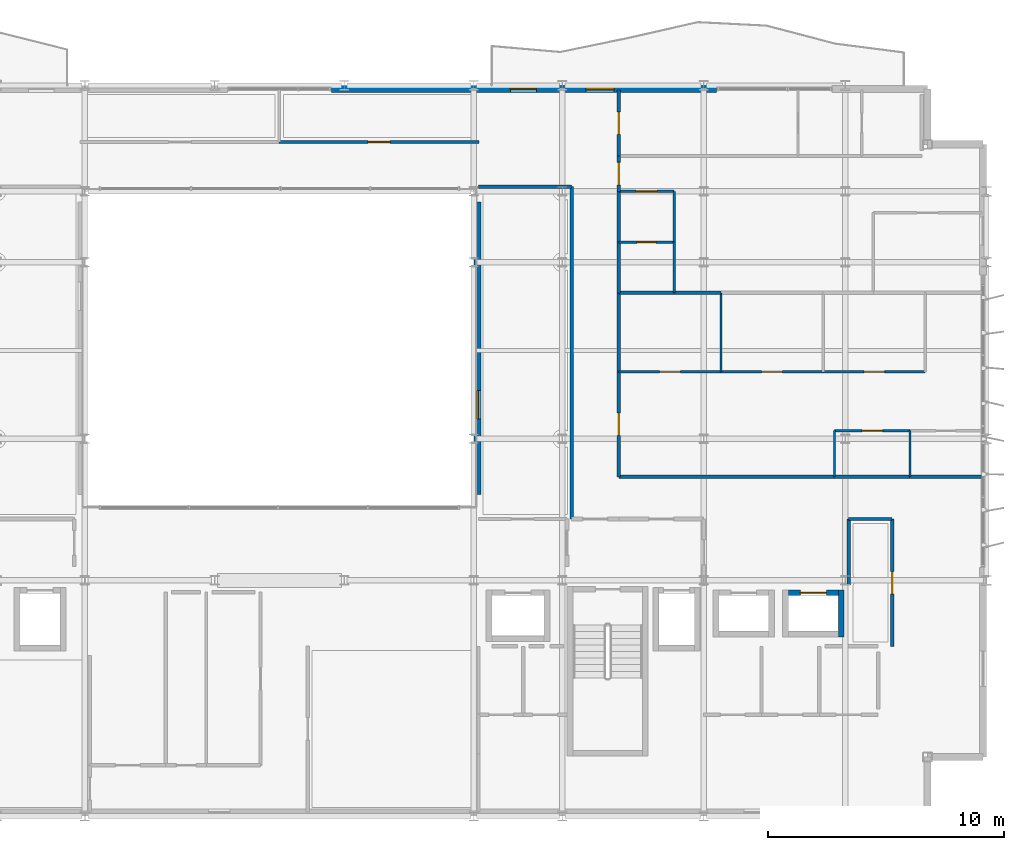
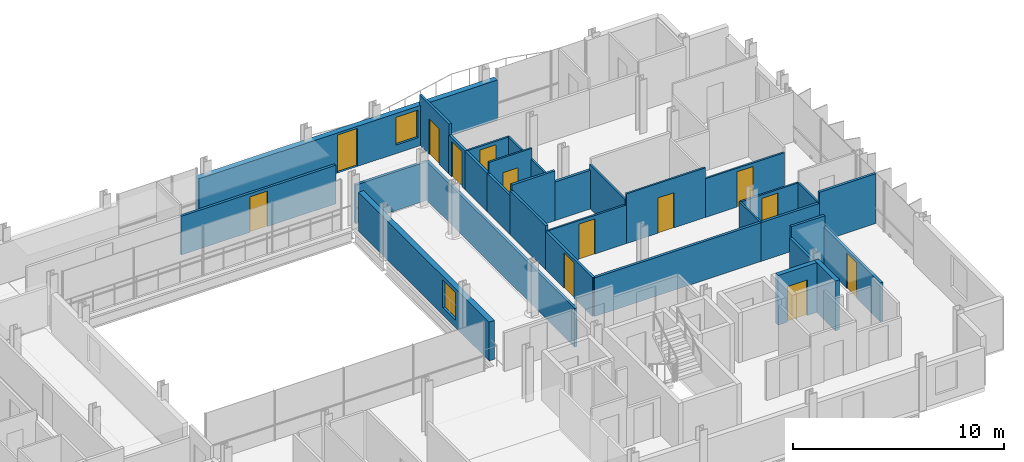
# One storey, part 33 of 40: 32 walls, 13 doors, 2 windows, 15 openings.
"""IFC4 building model written with IfcOpenShell, lengths in metres."""

from ifc_helpers import new_model, si_unit, direction, frame, frame_2d, origin, place, context, subcontext, project, spatial, rectangle, extrude, material, layer, layer_set, type_object, element, fill, save


model = new_model("IFC4")

# Units and contexts
model_context = context("Model", 3, precision=1e-05, world=origin(), true_north=direction((0.0, 1.0)))
body_context = subcontext(model_context, "Body", "Model", "MODEL_VIEW")
ifc_project = project(units=[si_unit("LENGTHUNIT", "METRE"), si_unit("AREAUNIT", "SQUARE_METRE"), si_unit("VOLUMEUNIT", "CUBIC_METRE"), si_unit("PLANEANGLEUNIT", "RADIAN"), si_unit("MASSUNIT", "GRAM", prefix="KILO")], contexts=[model_context])

# Site, building, storey
site_placement = place(None, origin())
site = spatial("IfcSite", under=ifc_project, at=site_placement, CompositionType="ELEMENT")
building_placement = place(site_placement, origin())
building = spatial("IfcBuilding", under=site, at=building_placement, Name="Brevholm Reach", CompositionType="ELEMENT")
storey_placement = place(building_placement, frame((0.0, 0.0, 160.39990234375)))
storey = spatial("IfcBuildingStorey", under=building, at=storey_placement, Name="L48", CompositionType="ELEMENT", Elevation=160.39990234375)

# Wall
ifc_material_1 = material(Name="Concrete C45/55", Category="concrete")
ifc_layer_1 = layer(ifc_material_1, 0.239990234375)
ifc_layer_set_1 = layer_set([ifc_layer_1], Name="Concrete C45/55")
wall_type_1 = type_object("IfcWallType", Name="WAL-COR-240", PredefinedType="SHEAR", material=ifc_layer_set_1)
wall_1_placement = place(storey_placement, frame((53.830078125, 7.60009765625, 0.0), z_axis=(0.0, 0.0, 1.0), x_axis=(0.0, 1.0, 0.0)))
element("IfcWall", 1, at=wall_1_placement, inside=storey, type_object=wall_type_1, Name="L48 Lift PL-H2 Shaft Wall E", PredefinedType="SHEAR", context=body_context, shape_type="SweptSolid", body=[
    extrude(rectangle(XDim=2.0, YDim=0.239990234375, at=frame_2d((1.0, 0.0))), origin(), (0.0, 0.0, 1.0), 2.880126953125),
])

# Wall, opening, door
wall_2_placement = place(storey_placement, frame((51.590087890625, 9.47998046875, 0.0), z_axis=(0.0, 0.0, 1.0), x_axis=(1.0, 0.0, 0.0)))
wall_2 = element("IfcWall", 2, at=wall_2_placement, inside=storey, type_object=wall_type_1, Name="L48 Lift PL-H2 Shaft Wall N", PredefinedType="SHEAR", context=body_context, shape_type="SweptSolid", body=[
    extrude(rectangle(XDim=2.119873046875, YDim=0.239990234375, at=frame_2d((1.06005859375, 0.0))), origin(), (0.0, 0.0, 1.0), 2.880126953125),
])
opening_1_placement = place(wall_2_placement, frame((0.510009765625, 0.0, 0.0)))
opening_1 = element("IfcOpeningElement", 3, at=opening_1_placement, cuts=wall_2, Name="Opening LD-PL-H2", PredefinedType="OPENING", context=body_context, shape_type="SweptSolid", body=[
    extrude(rectangle(XDim=1.10009765625, YDim=2.06005859375, at=frame_2d((0.550048828125, 1.030029296875))), frame((0.0, 0.1298828125, 0.0), z_axis=(0.0, -1.0, 0.0), x_axis=(1.0, 0.0, 0.0)), (0.0, 0.0, 1.0), 0.260009765625),
])
ifc_material_2 = material(Name="Brushed Stainless Steel Fire-Rated Sliding Lift Door", Category="steel")
door_type_1 = type_object("IfcDoorType", Name="DOR-LFT-1100", OperationType="NOTDEFINED", PredefinedType="DOOR", material=ifc_material_2)
door_1_placement = place(opening_1_placement, origin())
door_1 = element("IfcDoor", 4, at=door_1_placement, inside=storey, type_object=door_type_1, Name="L48 Lift PL-H2 Sliding Landing Door", OperationType="SLIDING_TO_RIGHT", OverallHeight=2.06005859375, OverallWidth=1.10009765625, PredefinedType="DOOR", context=body_context, shape_type="SweptSolid", body=[
    extrude(rectangle(XDim=1.10009765625, YDim=2.06005859375, at=frame_2d((0.550048828125, 1.030029296875))), frame((0.0, 0.02490234375, 0.0), z_axis=(0.0, -1.0, 0.0), x_axis=(1.0, 0.0, 0.0)), (0.0, 0.0, 1.0), 0.050048828125),
])
fill(opening_1, door_1)

# Wall, openings, door, window
ifc_material_3 = material(Name="Concrete C40/50", Category="concrete")
ifc_layer_2 = layer(ifc_material_3, 0.300048828125)
ifc_layer_set_2 = layer_set([ifc_layer_2], Name="Concrete C40/50")
wall_type_2 = type_object("IfcWallType", Name="WAL-EXT-300", PredefinedType="STANDARD", material=ifc_layer_set_2)
wall_3_placement = place(storey_placement, frame((32.199951171875, 30.85009765625, 0.0), z_axis=(0.0, 0.0, 1.0), x_axis=(1.0, 0.0, 0.0)))
wall_3 = element("IfcWall", 5, at=wall_3_placement, inside=storey, type_object=wall_type_2, Name="L48 Facade Wall WAL-L48-NP-ER", PredefinedType="STANDARD", context=body_context, shape_type="SweptSolid", body=[
    extrude(rectangle(XDim=16.35009765625, YDim=0.300048828125, at=frame_2d((8.175048828125, 0.0))), origin(), (0.0, 0.0, 1.0), 2.322021484375),
])
opening_2_placement = place(wall_3_placement, frame((7.60009765625, 0.0, 0.0)))
opening_2 = element("IfcOpeningElement", 6, at=opening_2_placement, cuts=wall_3, Name="Opening BD-01", PredefinedType="OPENING", context=body_context, shape_type="SweptSolid", body=[
    extrude(rectangle(XDim=1.10009765625, YDim=2.199951171875, at=frame_2d((0.550048828125, 1.10009765625))), frame((0.0, 0.159912109375, 0.0), z_axis=(0.0, -1.0, 0.0), x_axis=(1.0, 0.0, 0.0)), (0.0, 0.0, 1.0), 0.320068359375),
])
opening_3_placement = place(wall_3_placement, frame((10.800048828125, 0.0, 0.501953125)))
opening_3 = element("IfcOpeningElement", 7, at=opening_3_placement, cuts=wall_3, Name="Opening WN-08", PredefinedType="OPENING", context=body_context, shape_type="SweptSolid", body=[
    extrude(rectangle(XDim=1.199951171875, YDim=1.60009765625, at=frame_2d((0.60009765625, 0.800048828125))), frame((0.0, 0.159912109375, 0.0), z_axis=(0.0, -1.0, 0.0), x_axis=(1.0, 0.0, 0.0)), (0.0, 0.0, 1.0), 0.320068359375),
])
ifc_material_4 = material(Name="Dark Anodised Aluminium and Triple-Glazed Glass", Category="aluminium")
door_type_2 = type_object("IfcDoorType", Name="DOR-BALC-1100", OperationType="NOTDEFINED", PredefinedType="DOOR", material=ifc_material_4)
door_2_placement = place(opening_2_placement, origin())
door_2 = element("IfcDoor", 8, at=door_2_placement, inside=storey, type_object=door_type_2, Name="L48 Exterior Door DOR-L48-BL-NE", OperationType="SINGLE_SWING_RIGHT", OverallHeight=2.199951171875, OverallWidth=1.10009765625, PredefinedType="DOOR", context=body_context, shape_type="SweptSolid", body=[
    extrude(rectangle(XDim=1.10009765625, YDim=2.199951171875, at=frame_2d((0.550048828125, 1.10009765625))), frame((0.0, 0.02490234375, 0.0), z_axis=(0.0, -1.0, 0.0), x_axis=(1.0, 0.0, 0.0)), (0.0, 0.0, 1.0), 0.050048828125),
])
fill(opening_2, door_2)
ifc_material_5 = material(Name="Dark Anodised Aluminium and Solar-Control IGU Glass", Category="aluminium")
window_type = type_object("IfcWindowType", Name="WIN-RES-1200", PartitioningType="SINGLE_PANEL", PredefinedType="WINDOW", material=ifc_material_5)
window_1_placement = place(opening_3_placement, origin())
window_1 = element("IfcWindow", 9, at=window_1_placement, inside=storey, type_object=window_type, Name="L48 Window WIN-L48-NP-ER1", OverallHeight=1.60009765625, OverallWidth=1.199951171875, PartitioningType="SINGLE_PANEL", PredefinedType="WINDOW", context=body_context, shape_type="SweptSolid", body=[
    extrude(rectangle(XDim=1.199951171875, YDim=1.60009765625, at=frame_2d((0.60009765625, 0.800048828125))), frame((0.0, 0.030029296875, 0.0), z_axis=(0.0, -1.0, 0.0), x_axis=(1.0, 0.0, 0.0)), (0.0, 0.0, 1.0), 0.06005859375),
])
fill(opening_3, window_1)

# Wall, opening, window
wall_4_placement = place(storey_placement, frame((38.39990234375, 13.64990234375, 0.0), z_axis=(0.0, 0.0, 1.0), x_axis=(0.0, 1.0, 0.0)))
wall_4 = element("IfcWall", 10, at=wall_4_placement, inside=storey, type_object=wall_type_2, Name="L48 Facade Wall WAL-L48-AT-E", PredefinedType="STANDARD", context=body_context, shape_type="SweptSolid", body=[
    extrude(rectangle(XDim=12.400146484375, YDim=0.300048828125, at=frame_2d((6.2001953125, 0.0))), origin(), (0.0, 0.0, 1.0), 2.242919921875),
])
opening_4_placement = place(wall_4_placement, frame((3.199951171875, 0.0, 0.423095703125)))
opening_4 = element("IfcOpeningElement", 11, at=opening_4_placement, cuts=wall_4, Name="Opening WN-08", PredefinedType="OPENING", context=body_context, shape_type="SweptSolid", body=[
    extrude(rectangle(XDim=1.199951171875, YDim=1.60009765625, at=frame_2d((0.60009765625, 0.800048828125))), frame((0.0, 0.159912109375, 0.0), z_axis=(0.0, -1.0, 0.0), x_axis=(1.0, 0.0, 0.0)), (0.0, 0.0, 1.0), 0.320068359375),
])
window_2_placement = place(opening_4_placement, origin())
window_2 = element("IfcWindow", 12, at=window_2_placement, inside=storey, type_object=window_type, Name="L48 Window WIN-L48-AT-E1", OverallHeight=1.60009765625, OverallWidth=1.199951171875, PartitioningType="SINGLE_PANEL", PredefinedType="WINDOW", context=body_context, shape_type="SweptSolid", body=[
    extrude(rectangle(XDim=1.199951171875, YDim=1.60009765625, at=frame_2d((0.60009765625, 0.800048828125))), frame((0.0, 0.030029296875, 0.0), z_axis=(0.0, -1.0, 0.0), x_axis=(1.0, 0.0, 0.0)), (0.0, 0.0, 1.0), 0.06005859375),
])
fill(opening_4, window_2)

# Wall
ifc_material_6 = material(Name="Moisture-Resistant Acoustic Gypsum Stud Partition 100 mm", Category="gypsum")
ifc_layer_3 = layer(ifc_material_6, 0.10009765625)
ifc_layer_set_3 = layer_set([ifc_layer_3], Name="Moisture-Resistant Acoustic Gypsum Stud Partition 100 mm")
wall_type_3 = type_object("IfcWallType", Name="WAL-PRT-100", PredefinedType="PARTITIONING", material=ifc_layer_set_3)
wall_5_placement = place(storey_placement, frame((56.75, 14.404052734375, 0.0), z_axis=(0.0, 0.0, 1.0), x_axis=(0.0, 1.0, 0.0)))
element("IfcWall", 13, at=wall_5_placement, inside=storey, type_object=wall_type_3, Name="L48 Internal Partition 102", PredefinedType="PARTITIONING", context=body_context, shape_type="SweptSolid", body=[
    extrude(rectangle(XDim=1.946044921875, YDim=0.10009765625, at=frame_2d((0.97314453125, 0.0))), origin(), (0.0, 0.0, 1.0), 2.242919921875),
])

# Wall, opening, door
wall_6_placement = place(storey_placement, frame((53.550048828125, 16.35009765625, 0.0), z_axis=(0.0, 0.0, 1.0), x_axis=(1.0, 0.0, 0.0)))
wall_6 = element("IfcWall", 14, at=wall_6_placement, inside=storey, type_object=wall_type_3, Name="L48 Internal Partition 104", PredefinedType="PARTITIONING", context=body_context, shape_type="SweptSolid", body=[
    extrude(rectangle(XDim=3.196044921875, YDim=0.10009765625, at=frame_2d((1.59814453125, 0.0))), origin(), (0.0, 0.0, 1.0), 2.242919921875),
])
opening_5_placement = place(wall_6_placement, frame((1.157958984375, 0.0, 0.0)))
opening_5 = element("IfcOpeningElement", 15, at=opening_5_placement, cuts=wall_6, Name="Opening ID-01", PredefinedType="OPENING", context=body_context, shape_type="SweptSolid", body=[
    extrude(rectangle(XDim=0.8798828125, YDim=2.0400390625, at=frame_2d((0.43994140625, 1.02001953125))), frame((0.0, 0.06005859375, 0.0), z_axis=(0.0, -1.0, 0.0), x_axis=(1.0, 0.0, 0.0)), (0.0, 0.0, 1.0), 0.1201171875),
])
ifc_material_7 = material(Name="Lacquered Ash Solid-Core Acoustic Internal Door", Category="timber")
door_type_3 = type_object("IfcDoorType", Name="DOR-INT-880", OperationType="NOTDEFINED", PredefinedType="DOOR", material=ifc_material_7)
door_3_placement = place(opening_5_placement, origin())
door_3 = element("IfcDoor", 16, at=door_3_placement, inside=storey, type_object=door_type_3, Name="L48 Internal Door 045", OperationType="SINGLE_SWING_RIGHT", OverallHeight=2.0400390625, OverallWidth=0.8798828125, PredefinedType="DOOR", context=body_context, shape_type="SweptSolid", body=[
    extrude(rectangle(XDim=0.8798828125, YDim=2.0400390625, at=frame_2d((0.43994140625, 1.02001953125))), frame((0.0, 0.02490234375, 0.0), z_axis=(0.0, -1.0, 0.0), x_axis=(1.0, 0.0, 0.0)), (0.0, 0.0, 1.0), 0.050048828125),
])
fill(opening_5, door_3)

# Walls
wall_7_placement = place(storey_placement, frame((53.550048828125, 14.404052734375, 0.0), z_axis=(0.0, 0.0, 1.0), x_axis=(0.0, 1.0, 0.0)))
element("IfcWall", 17, at=wall_7_placement, inside=storey, type_object=wall_type_3, Name="L48 Internal Partition 105", PredefinedType="PARTITIONING", context=body_context, shape_type="SweptSolid", body=[
    extrude(rectangle(XDim=1.946044921875, YDim=0.10009765625, at=frame_2d((0.97314453125, 0.0))), origin(), (0.0, 0.0, 1.0), 2.242919921875),
])
wall_8_placement = place(storey_placement, frame((48.73291015625, 18.845947265625, 0.0), z_axis=(0.0, 0.0, 1.0), x_axis=(0.0, 1.0, 0.0)))
element("IfcWall", 18, at=wall_8_placement, inside=storey, type_object=wall_type_3, Name="L48 Internal Partition 106", PredefinedType="PARTITIONING", context=body_context, shape_type="SweptSolid", body=[
    extrude(rectangle(XDim=3.35400390625, YDim=0.10009765625, at=frame_2d((1.677001953125, 0.0))), origin(), (0.0, 0.0, 1.0), 2.5517578125),
])

# Wall, opening, door
wall_9_placement = place(storey_placement, frame((44.404052734375, 18.845947265625, 0.0), z_axis=(0.0, 0.0, 1.0), x_axis=(1.0, 0.0, 0.0)))
wall_9 = element("IfcWall", 19, at=wall_9_placement, inside=storey, type_object=wall_type_3, Name="L48 Internal Partition 107", PredefinedType="PARTITIONING", context=body_context, shape_type="SweptSolid", body=[
    extrude(rectangle(XDim=4.328857421875, YDim=0.10009765625, at=frame_2d((2.16455078125, 0.0))), origin(), (0.0, 0.0, 1.0), 2.242919921875),
])
opening_6_placement = place(wall_9_placement, frame((1.724609375, 0.0, 0.0)))
opening_6 = element("IfcOpeningElement", 20, at=opening_6_placement, cuts=wall_9, Name="Opening ID-01", PredefinedType="OPENING", context=body_context, shape_type="SweptSolid", body=[
    extrude(rectangle(XDim=0.8798828125, YDim=2.0400390625, at=frame_2d((0.43994140625, 1.02001953125))), frame((0.0, 0.06005859375, 0.0), z_axis=(0.0, -1.0, 0.0), x_axis=(1.0, 0.0, 0.0)), (0.0, 0.0, 1.0), 0.1201171875),
])
door_4_placement = place(opening_6_placement, origin())
door_4 = element("IfcDoor", 21, at=door_4_placement, inside=storey, type_object=door_type_3, Name="L48 Internal Door 046", OperationType="SINGLE_SWING_LEFT", OverallHeight=2.0400390625, OverallWidth=0.8798828125, PredefinedType="DOOR", context=body_context, shape_type="SweptSolid", body=[
    extrude(rectangle(XDim=0.8798828125, YDim=2.0400390625, at=frame_2d((0.43994140625, 1.02001953125))), frame((0.0, 0.02490234375, 0.0), z_axis=(0.0, -1.0, 0.0), x_axis=(1.0, 0.0, 0.0)), (0.0, 0.0, 1.0), 0.050048828125),
])
fill(opening_6, door_4)

wall_10_placement = place(storey_placement, frame((48.737060546875, 18.845947265625, 0.0), z_axis=(0.0, 0.0, 1.0), x_axis=(1.0, 0.0, 0.0)))
wall_10 = element("IfcWall", 22, at=wall_10_placement, inside=storey, type_object=wall_type_3, Name="L48 Internal Partition 111", PredefinedType="PARTITIONING", context=body_context, shape_type="SweptSolid", body=[
    extrude(rectangle(XDim=4.328857421875, YDim=0.10009765625, at=frame_2d((2.16455078125, 0.0))), origin(), (0.0, 0.0, 1.0), 2.880126953125),
])
opening_7_placement = place(wall_10_placement, frame((1.724609375, 0.0, 0.0)))
opening_7 = element("IfcOpeningElement", 23, at=opening_7_placement, cuts=wall_10, Name="Opening ID-01", PredefinedType="OPENING", context=body_context, shape_type="SweptSolid", body=[
    extrude(rectangle(XDim=0.8798828125, YDim=2.0400390625, at=frame_2d((0.43994140625, 1.02001953125))), frame((0.0, 0.06005859375, 0.0), z_axis=(0.0, -1.0, 0.0), x_axis=(1.0, 0.0, 0.0)), (0.0, 0.0, 1.0), 0.1201171875),
])
door_5_placement = place(opening_7_placement, origin())
door_5 = element("IfcDoor", 24, at=door_5_placement, inside=storey, type_object=door_type_3, Name="L48 Internal Door 047", OperationType="SINGLE_SWING_RIGHT", OverallHeight=2.0400390625, OverallWidth=0.8798828125, PredefinedType="DOOR", context=body_context, shape_type="SweptSolid", body=[
    extrude(rectangle(XDim=0.8798828125, YDim=2.0400390625, at=frame_2d((0.43994140625, 1.02001953125))), frame((0.0, 0.02490234375, 0.0), z_axis=(0.0, -1.0, 0.0), x_axis=(1.0, 0.0, 0.0)), (0.0, 0.0, 1.0), 0.050048828125),
])
fill(opening_7, door_5)

wall_11_placement = place(storey_placement, frame((53.070068359375, 18.845947265625, 0.0), z_axis=(0.0, 0.0, 1.0), x_axis=(1.0, 0.0, 0.0)))
wall_11 = element("IfcWall", 25, at=wall_11_placement, inside=storey, type_object=wall_type_3, Name="L48 Internal Partition 113", PredefinedType="PARTITIONING", context=body_context, shape_type="SweptSolid", body=[
    extrude(rectangle(XDim=4.328857421875, YDim=0.10009765625, at=frame_2d((2.16455078125, 0.0))), origin(), (0.0, 0.0, 1.0), 2.242919921875),
])
opening_8_placement = place(wall_11_placement, frame((1.724609375, 0.0, 0.0)))
opening_8 = element("IfcOpeningElement", 26, at=opening_8_placement, cuts=wall_11, Name="Opening ID-01", PredefinedType="OPENING", context=body_context, shape_type="SweptSolid", body=[
    extrude(rectangle(XDim=0.8798828125, YDim=2.0400390625, at=frame_2d((0.43994140625, 1.02001953125))), frame((0.0, 0.06005859375, 0.0), z_axis=(0.0, -1.0, 0.0), x_axis=(1.0, 0.0, 0.0)), (0.0, 0.0, 1.0), 0.1201171875),
])
door_6_placement = place(opening_8_placement, origin())
door_6 = element("IfcDoor", 27, at=door_6_placement, inside=storey, type_object=door_type_3, Name="L48 Internal Door 048", OperationType="SINGLE_SWING_LEFT", OverallHeight=2.0400390625, OverallWidth=0.8798828125, PredefinedType="DOOR", context=body_context, shape_type="SweptSolid", body=[
    extrude(rectangle(XDim=0.8798828125, YDim=2.0400390625, at=frame_2d((0.43994140625, 1.02001953125))), frame((0.0, 0.02490234375, 0.0), z_axis=(0.0, -1.0, 0.0), x_axis=(1.0, 0.0, 0.0)), (0.0, 0.0, 1.0), 0.050048828125),
])
fill(opening_8, door_6)

wall_12_placement = place(storey_placement, frame((44.404052734375, 24.35009765625, 0.0), z_axis=(0.0, 0.0, 1.0), x_axis=(1.0, 0.0, 0.0)))
wall_12 = element("IfcWall", 28, at=wall_12_placement, inside=storey, type_object=wall_type_3, Name="L48 Internal Partition 118", PredefinedType="PARTITIONING", context=body_context, shape_type="SweptSolid", body=[
    extrude(rectangle(XDim=2.345947265625, YDim=0.10009765625, at=frame_2d((1.1728515625, 0.0))), origin(), (0.0, 0.0, 1.0), 2.880126953125),
])
opening_9_placement = place(wall_12_placement, frame((0.762939453125, 0.0, 0.0)))
opening_9 = element("IfcOpeningElement", 29, at=opening_9_placement, cuts=wall_12, Name="Opening ID-03", PredefinedType="OPENING", context=body_context, shape_type="SweptSolid", body=[
    extrude(rectangle(XDim=0.820068359375, YDim=2.02001953125, at=frame_2d((0.41015625, 1.010009765625))), frame((0.0, 0.06005859375, 0.0), z_axis=(0.0, -1.0, 0.0), x_axis=(1.0, 0.0, 0.0)), (0.0, 0.0, 1.0), 0.1201171875),
])
ifc_material_8 = material(Name="Moisture-Resistant Painted Timber Internal Bathroom Door", Category="wood")
door_type_4 = type_object("IfcDoorType", Name="DOR-BATH-820", OperationType="NOTDEFINED", PredefinedType="DOOR", material=ifc_material_8)
door_7_placement = place(opening_9_placement, origin())
door_7 = element("IfcDoor", 30, at=door_7_placement, inside=storey, type_object=door_type_4, Name="L48 Access Door 053", OperationType="SINGLE_SWING_RIGHT", OverallHeight=2.02001953125, OverallWidth=0.820068359375, PredefinedType="DOOR", context=body_context, shape_type="SweptSolid", body=[
    extrude(rectangle(XDim=0.820068359375, YDim=2.02001953125, at=frame_2d((0.41015625, 1.010009765625))), frame((0.0, 0.02490234375, 0.0), z_axis=(0.0, -1.0, 0.0), x_axis=(1.0, 0.0, 0.0)), (0.0, 0.0, 1.0), 0.050048828125),
])
fill(opening_9, door_7)

# Walls
for number, where, z_axis, x_axis, name in (
    (31, (46.75, 22.2041015625, 0.0), (0.0, 0.0, 1.0), (0.0, 1.0, 0.0), "L48 Internal Partition 119"),
    (32, (46.75, 24.35400390625, 0.0), (0.0, 0.0, 1.0), (0.0, 1.0, 0.0), "L48 Internal Partition 120"),
):
    element("IfcWall", number, at=place(storey_placement, frame(where, z_axis=z_axis, x_axis=x_axis)), inside=storey, type_object=wall_type_3, Name=name, PredefinedType="PARTITIONING", context=body_context, shape_type="SweptSolid", body=[
        extrude(rectangle(XDim=2.14599609375, YDim=0.10009765625, at=frame_2d((1.072998046875, 0.0))), origin(), (0.0, 0.0, 1.0), 2.242919921875),
    ])

# Wall, opening, door
wall_13_placement = place(storey_placement, frame((44.404052734375, 26.5, 0.0), z_axis=(0.0, 0.0, 1.0), x_axis=(1.0, 0.0, 0.0)))
wall_13 = element("IfcWall", 33, at=wall_13_placement, inside=storey, type_object=wall_type_3, Name="L48 Internal Partition 121", PredefinedType="PARTITIONING", context=body_context, shape_type="SweptSolid", body=[
    extrude(rectangle(XDim=2.345947265625, YDim=0.10009765625, at=frame_2d((1.1728515625, 0.0))), origin(), (0.0, 0.0, 1.0), 2.242919921875),
])
opening_10_placement = place(wall_13_placement, frame((0.73291015625, 0.0, 0.0)))
opening_10 = element("IfcOpeningElement", 34, at=opening_10_placement, cuts=wall_13, Name="Opening ID-01", PredefinedType="OPENING", context=body_context, shape_type="SweptSolid", body=[
    extrude(rectangle(XDim=0.8798828125, YDim=2.0400390625, at=frame_2d((0.43994140625, 1.02001953125))), frame((0.0, 0.06005859375, 0.0), z_axis=(0.0, -1.0, 0.0), x_axis=(1.0, 0.0, 0.0)), (0.0, 0.0, 1.0), 0.1201171875),
])
door_8_placement = place(opening_10_placement, origin())
door_8 = element("IfcDoor", 35, at=door_8_placement, inside=storey, type_object=door_type_3, Name="L48 Internal Door 049", OperationType="SINGLE_SWING_RIGHT", OverallHeight=2.0400390625, OverallWidth=0.8798828125, PredefinedType="DOOR", context=body_context, shape_type="SweptSolid", body=[
    extrude(rectangle(XDim=0.8798828125, YDim=2.0400390625, at=frame_2d((0.43994140625, 1.02001953125))), frame((0.0, 0.02490234375, 0.0), z_axis=(0.0, -1.0, 0.0), x_axis=(1.0, 0.0, 0.0)), (0.0, 0.0, 1.0), 0.050048828125),
])
fill(opening_10, door_8)

ifc_material_9 = material(Name="Twin-Stud Acoustic Fire-Rated Gypsum Partition 140 mm", Category="gypsum")
ifc_layer_4 = layer(ifc_material_9, 0.139892578125)
ifc_layer_set_4 = layer_set([ifc_layer_4], Name="Twin-Stud Acoustic Fire-Rated Gypsum Partition 140 mm")
wall_type_4 = type_object("IfcWallType", Name="WAL-PRT-140", PredefinedType="PARTITIONING", material=ifc_layer_set_4)
wall_14_placement = place(storey_placement, frame((56.0, 7.188720703125, 0.0), z_axis=(0.0, 0.0, 1.0), x_axis=(0.0, 1.0, 0.0)))
wall_14 = element("IfcWall", 36, at=wall_14_placement, inside=storey, type_object=wall_type_4, Name="L48 Internal Partition 013", PredefinedType="PARTITIONING", context=body_context, shape_type="SweptSolid", body=[
    extrude(rectangle(XDim=5.411376953125, YDim=0.139892578125, at=frame_2d((2.70556640625, 0.0))), origin(), (0.0, 0.0, 1.0), 2.242919921875),
])
opening_11_placement = place(wall_14_placement, frame((2.230712890625, 0.0, 0.0)))
opening_11 = element("IfcOpeningElement", 37, at=opening_11_placement, cuts=wall_14, Name="Opening ID-30", PredefinedType="OPENING", context=body_context, shape_type="SweptSolid", body=[
    extrude(rectangle(XDim=0.949951171875, YDim=2.050048828125, at=frame_2d((0.47509765625, 1.02490234375))), frame((0.0, 0.079833984375, 0.0), z_axis=(0.0, -1.0, 0.0), x_axis=(1.0, 0.0, 0.0)), (0.0, 0.0, 1.0), 0.159912109375),
])
ifc_material_10 = material(Name="European Oak Veneered Solid-Core Fire Entrance Door", Category="timber")
door_type_5 = type_object("IfcDoorType", Name="DOR-FLT-FD30S", OperationType="NOTDEFINED", PredefinedType="DOOR", material=ifc_material_10)
door_9_placement = place(opening_11_placement, origin())
door_9 = element("IfcDoor", 38, at=door_9_placement, inside=storey, type_object=door_type_5, Name="L48 Internal Door 006", OperationType="SINGLE_SWING_LEFT", OverallHeight=2.050048828125, OverallWidth=0.949951171875, PredefinedType="DOOR", context=body_context, shape_type="SweptSolid", body=[
    extrude(rectangle(XDim=0.949951171875, YDim=2.050048828125, at=frame_2d((0.47509765625, 1.02490234375))), frame((0.0, 0.02490234375, 0.0), z_axis=(0.0, -1.0, 0.0), x_axis=(1.0, 0.0, 0.0)), (0.0, 0.0, 1.0), 0.050048828125),
])
fill(opening_11, door_9)

# Walls
wall_15_placement = place(storey_placement, frame((54.14990234375, 9.800048828125, 0.0), z_axis=(0.0, 0.0, 1.0), x_axis=(0.0, 1.0, 0.0)))
element("IfcWall", 39, at=wall_15_placement, inside=storey, type_object=wall_type_4, Name="L48 Internal Partition 038", PredefinedType="PARTITIONING", context=body_context, shape_type="SweptSolid", body=[
    extrude(rectangle(XDim=2.800048828125, YDim=0.139892578125, at=frame_2d((1.39990234375, 0.0))), origin(), (0.0, 0.0, 1.0), 2.242919921875),
])
wall_16_placement = place(storey_placement, frame((54.154052734375, 12.60009765625, 0.0), z_axis=(0.0, 0.0, 1.0), x_axis=(1.0, 0.0, 0.0)))
element("IfcWall", 40, at=wall_16_placement, inside=storey, type_object=wall_type_4, Name="L48 Internal Partition 039", PredefinedType="PARTITIONING", context=body_context, shape_type="SweptSolid", body=[
    extrude(rectangle(XDim=1.842041015625, YDim=0.139892578125, at=frame_2d((0.9208984375, 0.0))), origin(), (0.0, 0.0, 1.0), 2.880126953125),
])
wall_17_placement = place(storey_placement, frame((44.39990234375, 18.834716796875, 0.0), z_axis=(0.0, 0.0, 1.0), x_axis=(0.0, 1.0, 0.0)))
element("IfcWall", 41, at=wall_17_placement, inside=storey, type_object=wall_type_4, Name="L48 Internal Partition 049", PredefinedType="PARTITIONING", context=body_context, shape_type="SweptSolid", body=[
    extrude(rectangle(XDim=3.37646484375, YDim=0.139892578125, at=frame_2d((1.688232421875, 0.0))), origin(), (0.0, 0.0, 1.0), 2.5517578125),
])

# Wall, opening, door
wall_18_placement = place(storey_placement, frame((44.39990234375, 14.392578125, 0.0), z_axis=(0.0, 0.0, 1.0), x_axis=(0.0, 1.0, 0.0)))
wall_18 = element("IfcWall", 42, at=wall_18_placement, inside=storey, type_object=wall_type_4, Name="L48 Internal Partition 050", PredefinedType="PARTITIONING", context=body_context, shape_type="SweptSolid", body=[
    extrude(rectangle(XDim=4.460693359375, YDim=0.139892578125, at=frame_2d((2.23046875, 0.0))), origin(), (0.0, 0.0, 1.0), 2.242919921875),
])
opening_12_placement = place(wall_18_placement, frame((1.75537109375, 0.0, 0.0)))
opening_12 = element("IfcOpeningElement", 43, at=opening_12_placement, cuts=wall_18, Name="Opening ID-30", PredefinedType="OPENING", context=body_context, shape_type="SweptSolid", body=[
    extrude(rectangle(XDim=0.949951171875, YDim=2.050048828125, at=frame_2d((0.47509765625, 1.02490234375))), frame((0.0, 0.079833984375, 0.0), z_axis=(0.0, -1.0, 0.0), x_axis=(1.0, 0.0, 0.0)), (0.0, 0.0, 1.0), 0.159912109375),
])
door_10_placement = place(opening_12_placement, origin())
door_10 = element("IfcDoor", 44, at=door_10_placement, inside=storey, type_object=door_type_5, Name="L48 Internal Door 025", OperationType="SINGLE_SWING_RIGHT", OverallHeight=2.050048828125, OverallWidth=0.949951171875, PredefinedType="DOOR", context=body_context, shape_type="SweptSolid", body=[
    extrude(rectangle(XDim=0.949951171875, YDim=2.050048828125, at=frame_2d((0.47509765625, 1.02490234375))), frame((0.0, 0.02490234375, 0.0), z_axis=(0.0, -1.0, 0.0), x_axis=(1.0, 0.0, 0.0)), (0.0, 0.0, 1.0), 0.050048828125),
])
fill(opening_12, door_10)

# Walls
wall_19_placement = place(storey_placement, frame((44.39990234375, 22.192626953125, 0.0), z_axis=(0.0, 0.0, 1.0), x_axis=(0.0, 1.0, 0.0)))
element("IfcWall", 45, at=wall_19_placement, inside=storey, type_object=wall_type_4, Name="L48 Internal Partition 051", PredefinedType="PARTITIONING", context=body_context, shape_type="SweptSolid", body=[
    extrude(rectangle(XDim=2.168701171875, YDim=0.139892578125, at=frame_2d((1.08447265625, 0.0))), origin(), (0.0, 0.0, 1.0), 2.242919921875),
])
wall_20_placement = place(storey_placement, frame((44.39990234375, 24.3427734375, 0.0), z_axis=(0.0, 0.0, 1.0), x_axis=(0.0, 1.0, 0.0)))
element("IfcWall", 46, at=wall_20_placement, inside=storey, type_object=wall_type_4, Name="L48 Internal Partition 052", PredefinedType="PARTITIONING", context=body_context, shape_type="SweptSolid", body=[
    extrude(rectangle(XDim=2.16845703125, YDim=0.139892578125, at=frame_2d((1.084228515625, 0.0))), origin(), (0.0, 0.0, 1.0), 2.242919921875),
])

# Wall, opening, door
wall_21_placement = place(storey_placement, frame((44.39990234375, 26.49267578125, 0.0), z_axis=(0.0, 0.0, 1.0), x_axis=(0.0, 1.0, 0.0)))
wall_21 = element("IfcWall", 47, at=wall_21_placement, inside=storey, type_object=wall_type_4, Name="L48 Internal Partition 053", PredefinedType="PARTITIONING", context=body_context, shape_type="SweptSolid", body=[
    extrude(rectangle(XDim=1.5185546875, YDim=0.139892578125, at=frame_2d((0.75927734375, 0.0))), origin(), (0.0, 0.0, 1.0), 2.242919921875),
])
opening_13_placement = place(wall_21_placement, frame((0.2841796875, 0.0, 0.0)))
opening_13 = element("IfcOpeningElement", 48, at=opening_13_placement, cuts=wall_21, Name="Opening ID-30", PredefinedType="OPENING", context=body_context, shape_type="SweptSolid", body=[
    extrude(rectangle(XDim=0.949951171875, YDim=2.050048828125, at=frame_2d((0.47509765625, 1.02490234375))), frame((0.0, 0.079833984375, 0.0), z_axis=(0.0, -1.0, 0.0), x_axis=(1.0, 0.0, 0.0)), (0.0, 0.0, 1.0), 0.159912109375),
])
door_11_placement = place(opening_13_placement, origin())
door_11 = element("IfcDoor", 49, at=door_11_placement, inside=storey, type_object=door_type_5, Name="L48 Internal Door 026", OperationType="SINGLE_SWING_LEFT", OverallHeight=2.050048828125, OverallWidth=0.949951171875, PredefinedType="DOOR", context=body_context, shape_type="SweptSolid", body=[
    extrude(rectangle(XDim=0.949951171875, YDim=2.050048828125, at=frame_2d((0.47509765625, 1.02490234375))), frame((0.0, 0.02490234375, 0.0), z_axis=(0.0, -1.0, 0.0), x_axis=(1.0, 0.0, 0.0)), (0.0, 0.0, 1.0), 0.050048828125),
])
fill(opening_13, door_11)

# Wall
wall_22_placement = place(storey_placement, frame((42.39990234375, 12.60400390625, 0.0), z_axis=(0.0, 0.0, 1.0), x_axis=(0.0, 1.0, 0.0)))
element("IfcWall", 50, at=wall_22_placement, inside=storey, type_object=wall_type_4, Name="L48 Internal Partition 054", PredefinedType="PARTITIONING", context=body_context, shape_type="SweptSolid", body=[
    extrude(rectangle(XDim=14.103271484375, YDim=0.139892578125, at=frame_2d((7.0517578125, 0.0))), origin(), (0.0, 0.0, 1.0), 2.242919921875),
])

# Wall, opening, door
wall_23_placement = place(storey_placement, frame((44.39990234375, 27.99267578125, 0.0), z_axis=(0.0, 0.0, 1.0), x_axis=(0.0, 1.0, 0.0)))
wall_23 = element("IfcWall", 51, at=wall_23_placement, inside=storey, type_object=wall_type_4, Name="L48 Internal Partition 055", PredefinedType="PARTITIONING", context=body_context, shape_type="SweptSolid", body=[
    extrude(rectangle(XDim=2.807373046875, YDim=0.139892578125, at=frame_2d((1.40380859375, 0.0))), origin(), (0.0, 0.0, 1.0), 2.880126953125),
])
opening_14_placement = place(wall_23_placement, frame((0.9287109375, 0.0, 0.0)))
opening_14 = element("IfcOpeningElement", 52, at=opening_14_placement, cuts=wall_23, Name="Opening ID-30", PredefinedType="OPENING", context=body_context, shape_type="SweptSolid", body=[
    extrude(rectangle(XDim=0.949951171875, YDim=2.050048828125, at=frame_2d((0.47509765625, 1.02490234375))), frame((0.0, 0.079833984375, 0.0), z_axis=(0.0, -1.0, 0.0), x_axis=(1.0, 0.0, 0.0)), (0.0, 0.0, 1.0), 0.159912109375),
])
door_12_placement = place(opening_14_placement, origin())
door_12 = element("IfcDoor", 53, at=door_12_placement, inside=storey, type_object=door_type_5, Name="L48 Internal Door 027", OperationType="SINGLE_SWING_RIGHT", OverallHeight=2.050048828125, OverallWidth=0.949951171875, PredefinedType="DOOR", context=body_context, shape_type="SweptSolid", body=[
    extrude(rectangle(XDim=0.949951171875, YDim=2.050048828125, at=frame_2d((0.47509765625, 1.02490234375))), frame((0.0, 0.02490234375, 0.0), z_axis=(0.0, -1.0, 0.0), x_axis=(1.0, 0.0, 0.0)), (0.0, 0.0, 1.0), 0.050048828125),
])
fill(opening_14, door_12)

# Walls
wall_24_placement = place(storey_placement, frame((56.73876953125, 14.39990234375, 0.0), z_axis=(0.0, 0.0, 1.0), x_axis=(1.0, 0.0, 0.0)))
element("IfcWall", 54, at=wall_24_placement, inside=storey, type_object=wall_type_4, Name="L48 Internal Partition 056", PredefinedType="PARTITIONING", context=body_context, shape_type="SweptSolid", body=[
    extrude(rectangle(XDim=3.072509765625, YDim=0.139892578125, at=frame_2d((1.5361328125, 0.0))), origin(), (0.0, 0.0, 1.0), 2.880126953125),
])
wall_25_placement = place(storey_placement, frame((53.538818359375, 14.39990234375, 0.0), z_axis=(0.0, 0.0, 1.0), x_axis=(1.0, 0.0, 0.0)))
element("IfcWall", 55, at=wall_25_placement, inside=storey, type_object=wall_type_4, Name="L48 Internal Partition 057", PredefinedType="PARTITIONING", context=body_context, shape_type="SweptSolid", body=[
    extrude(rectangle(XDim=3.218505859375, YDim=0.139892578125, at=frame_2d((1.609375, 0.0))), origin(), (0.0, 0.0, 1.0), 2.242919921875),
])
wall_26_placement = place(storey_placement, frame((44.404052734375, 14.39990234375, 0.0), z_axis=(0.0, 0.0, 1.0), x_axis=(1.0, 0.0, 0.0)))
element("IfcWall", 56, at=wall_26_placement, inside=storey, type_object=wall_type_4, Name="L48 Internal Partition 058", PredefinedType="PARTITIONING", context=body_context, shape_type="SweptSolid", body=[
    extrude(rectangle(XDim=9.1533203125, YDim=0.139892578125, at=frame_2d((4.57666015625, 0.0))), origin(), (0.0, 0.0, 1.0), 2.242919921875),
])
wall_27_placement = place(storey_placement, frame((38.438720703125, 26.699951171875, 0.0), z_axis=(0.0, 0.0, 1.0), x_axis=(1.0, 0.0, 0.0)))
element("IfcWall", 57, at=wall_27_placement, inside=storey, type_object=wall_type_4, Name="L48 Internal Partition 060", PredefinedType="PARTITIONING", context=body_context, shape_type="SweptSolid", body=[
    extrude(rectangle(XDim=3.957275390625, YDim=0.139892578125, at=frame_2d((1.978515625, 0.0))), origin(), (0.0, 0.0, 1.0), 2.242919921875),
])

# Wall, opening, door
wall_28_placement = place(storey_placement, frame((29.99267578125, 28.60009765625, 0.0), z_axis=(0.0, 0.0, 1.0), x_axis=(1.0, 0.0, 0.0)))
wall_28 = element("IfcWall", 58, at=wall_28_placement, inside=storey, type_object=wall_type_4, Name="L48 Internal Partition 062", PredefinedType="PARTITIONING", context=body_context, shape_type="SweptSolid", body=[
    extrude(rectangle(XDim=8.464599609375, YDim=0.139892578125, at=frame_2d((4.232421875, 0.0))), origin(), (0.0, 0.0, 1.0), 2.242919921875),
])
opening_15_placement = place(wall_28_placement, frame((3.75732421875, 0.0, 0.0)))
opening_15 = element("IfcOpeningElement", 59, at=opening_15_placement, cuts=wall_28, Name="Opening ID-30", PredefinedType="OPENING", context=body_context, shape_type="SweptSolid", body=[
    extrude(rectangle(XDim=0.949951171875, YDim=2.050048828125, at=frame_2d((0.47509765625, 1.02490234375))), frame((0.0, 0.079833984375, 0.0), z_axis=(0.0, -1.0, 0.0), x_axis=(1.0, 0.0, 0.0)), (0.0, 0.0, 1.0), 0.159912109375),
])
door_13_placement = place(opening_15_placement, origin())
door_13 = element("IfcDoor", 60, at=door_13_placement, inside=storey, type_object=door_type_5, Name="L48 Internal Door 029", OperationType="SINGLE_SWING_RIGHT", OverallHeight=2.050048828125, OverallWidth=0.949951171875, PredefinedType="DOOR", context=body_context, shape_type="SweptSolid", body=[
    extrude(rectangle(XDim=0.949951171875, YDim=2.050048828125, at=frame_2d((0.47509765625, 1.02490234375))), frame((0.0, 0.02490234375, 0.0), z_axis=(0.0, -1.0, 0.0), x_axis=(1.0, 0.0, 0.0)), (0.0, 0.0, 1.0), 0.050048828125),
])
fill(opening_15, door_13)

# Walls
wall_29_placement = place(storey_placement, frame((44.404052734375, 22.199951171875, 0.0), z_axis=(0.0, 0.0, 1.0), x_axis=(1.0, 0.0, 0.0)))
element("IfcWall", 61, at=wall_29_placement, inside=storey, type_object=wall_type_4, Name="L48 Internal Partition 108", PredefinedType="PARTITIONING", context=body_context, shape_type="SweptSolid", body=[
    extrude(rectangle(XDim=2.357177734375, YDim=0.139892578125, at=frame_2d((1.1787109375, 0.0))), origin(), (0.0, 0.0, 1.0), 2.880126953125),
])
wall_30_placement = place(storey_placement, frame((46.74267578125, 22.199951171875, 0.0), z_axis=(0.0, 0.0, 1.0), x_axis=(1.0, 0.0, 0.0)))
element("IfcWall", 62, at=wall_30_placement, inside=storey, type_object=wall_type_4, Name="L48 Internal Partition 109", PredefinedType="PARTITIONING", context=body_context, shape_type="SweptSolid", body=[
    extrude(rectangle(XDim=1.990234375, YDim=0.139892578125, at=frame_2d((0.9951171875, 0.0))), origin(), (0.0, 0.0, 1.0), 2.242919921875),
])

save(model, "model.ifc")
